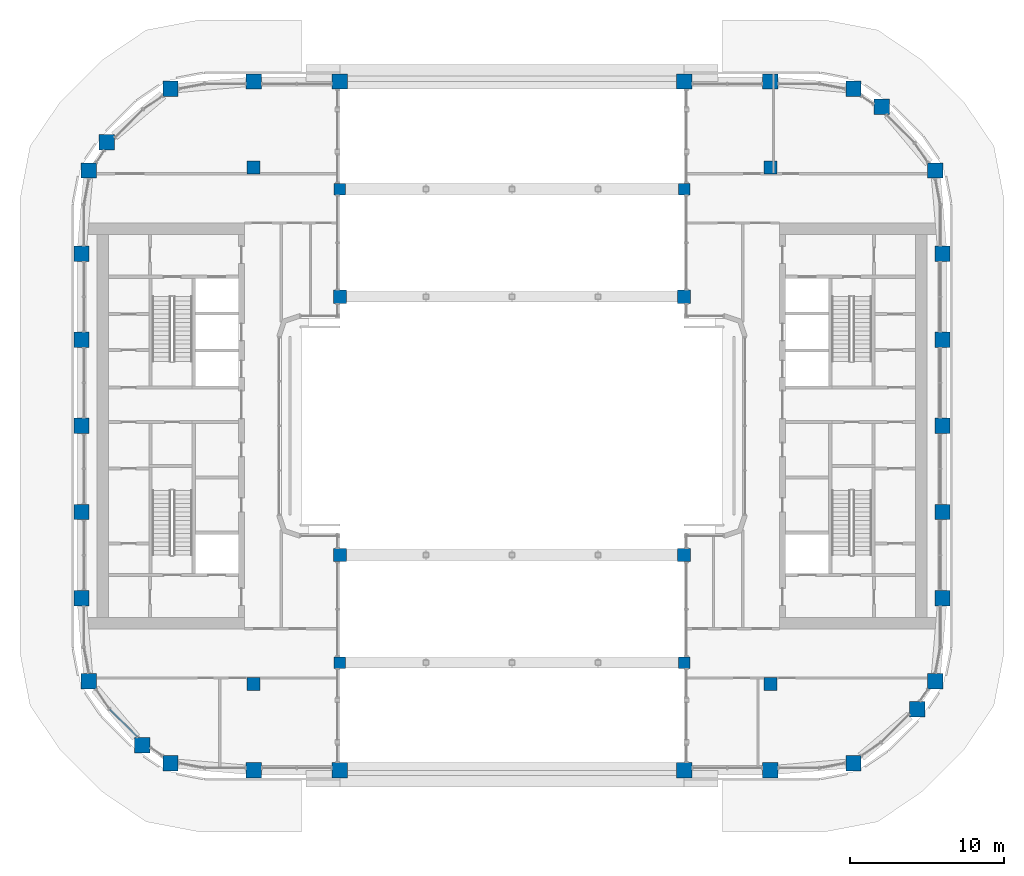
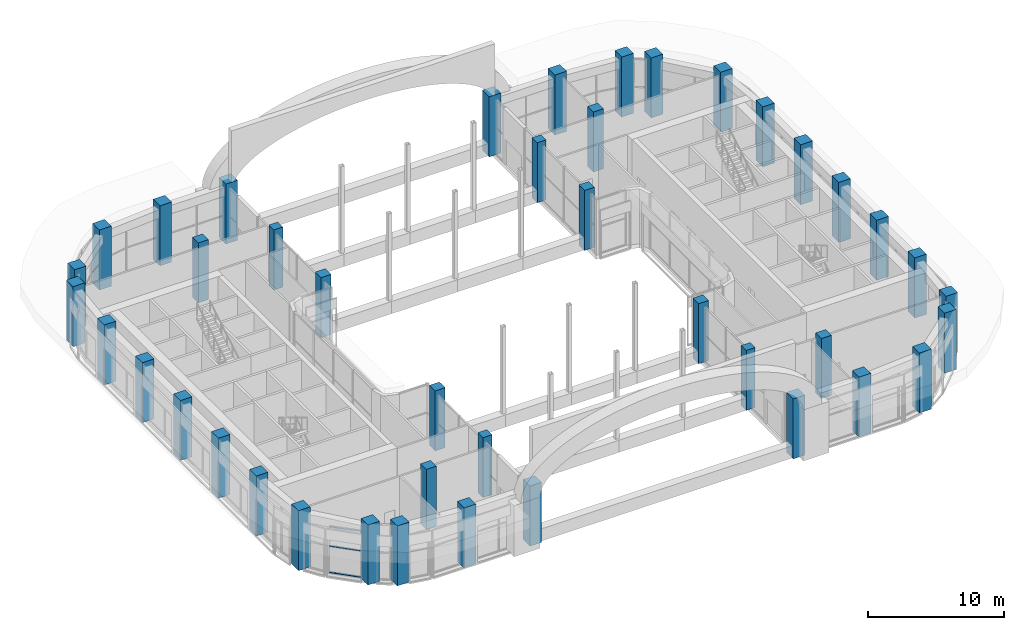
# One storey, part 1 of 28: 42 columns, 3 members, 1 element without a shape of its own.
"""IFC4 building model written with IfcOpenShell, lengths in metres."""

import ifcopenshell
import ifcopenshell.guid

model = None  # the IFC model being written
_history = None  # IfcOwnerHistory: only IFC2X3 demands one
_inside = {}  # id of a spatial element -> (the spatial element, [elements in it])
_under = {}  # id of a project, library or spatial element -> (it, [spatial elements below it])
_declared = {}  # id of a project -> (the project, [libraries it declares])
_typed = {}  # id of a type object -> (the type object, [elements of that type])
_made_of = {}  # id of a material, layer set ... -> (it, [elements and type objects made of it])


def new_model(schema):
    """Start an empty IFC model of exactly this schema.

    Asked for "IFC4X3", IfcOpenShell would pick the latest addendum, in which some entities
    have other attributes; the version numbers below select the first issue.
    IFC2X3 requires an IfcOwnerHistory on every rooted entity: one is made here for all.
    """
    global model, _history
    if schema == "IFC4X3":
        model = ifcopenshell.file(schema_version=(4, 3, 0, 0))
    else:
        model = ifcopenshell.file(schema=schema)
    _inside.clear()
    _under.clear()
    _declared.clear()
    _typed.clear()
    _made_of.clear()
    _history = None
    if model.schema == "IFC2X3":
        org = make("IfcOrganization", Name="unknown")
        user = make(
            "IfcPersonAndOrganization",
            ThePerson=make("IfcPerson", FamilyName="unknown"),
            TheOrganization=org,
        )
        app = make(
            "IfcApplication",
            ApplicationDeveloper=org,
            Version="unknown",
            ApplicationFullName="unknown",
            ApplicationIdentifier="unknown",
        )
        _history = make(
            "IfcOwnerHistory",
            OwningUser=user,
            OwningApplication=app,
            ChangeAction="ADDED",
            CreationDate=0,
        )
    return model


def make(cls, **values):
    """One entity of the class cls with the attributes given. An attribute that is None is left unset."""
    return model.create_entity(
        cls, **{name: value for name, value in values.items() if value is not None}
    )


def rooted(cls, **values):
    """An entity with a GlobalId (a new one), such as an element, a storey or a relation."""
    return make(cls, GlobalId=ifcopenshell.guid.new(), OwnerHistory=_history, **values)


def si_unit(unit_type, name, prefix=None):
    """IfcSIUnit, for example si_unit("LENGTHUNIT", "METRE", prefix="MILLI")."""
    return make("IfcSIUnit", UnitType=unit_type, Prefix=prefix, Name=name)


def assignment(units):
    """IfcUnitAssignment: the units of a project."""
    return None if units is None else make("IfcUnitAssignment", Units=units)


def point(xyz):
    """IfcCartesianPoint."""
    return None if xyz is None else make("IfcCartesianPoint", Coordinates=xyz)


def direction(xyz):
    """IfcDirection."""
    return None if xyz is None else make("IfcDirection", DirectionRatios=xyz)


def frame(location, z_axis=None, x_axis=None):
    """IfcAxis2Placement3D, a coordinate frame: its origin and axes. An axis left out is left unset."""
    return make(
        "IfcAxis2Placement3D",
        Location=point(location),
        Axis=direction(z_axis),
        RefDirection=direction(x_axis),
    )


def frame_2d(location, x_axis=None):
    """IfcAxis2Placement2D, a coordinate frame in the plane: its origin and x axis."""
    return make(
        "IfcAxis2Placement2D", Location=point(location), RefDirection=direction(x_axis)
    )


def origin():
    """The frame at (0, 0, 0) with its axes left unset."""
    return frame((0.0, 0.0, 0.0))


def origin_2d():
    """The frame at (0, 0) in the plane with its x axis left unset."""
    return frame_2d((0.0, 0.0))


def place(relative_to, where):
    """IfcLocalPlacement: puts the frame where relative to a parent placement (None: the world)."""
    return make(
        "IfcLocalPlacement", PlacementRelTo=relative_to, RelativePlacement=where
    )


def context(
    kind, dimensions, precision=None, world=None, true_north=None, identifier=None
):
    """IfcGeometricRepresentationContext, for example the 3D "Model" context."""
    return make(
        "IfcGeometricRepresentationContext",
        ContextIdentifier=identifier,
        ContextType=kind,
        CoordinateSpaceDimension=dimensions,
        Precision=precision,
        WorldCoordinateSystem=world,
        TrueNorth=true_north,
    )


def subcontext(parent, identifier, kind, view, scale=None):
    """IfcGeometricRepresentationSubContext, for example "Body" below "Model"."""
    return make(
        "IfcGeometricRepresentationSubContext",
        ContextIdentifier=identifier,
        ContextType=kind,
        ParentContext=parent,
        TargetScale=scale,
        TargetView=view,
    )


def project(units=None, contexts=None):
    """IfcProject with its units and contexts."""
    return rooted(
        "IfcProject",
        Name="project",
        RepresentationContexts=contexts,
        UnitsInContext=assignment(units),
    )


def spatial(cls, under=None, at=None, **own):
    """A site, building, storey or space (cls), placed at a placement, below another one or the project."""
    s = rooted(cls, ObjectPlacement=at, **own)
    if under is not None:
        _under.setdefault(under.id(), (under, []))[1].append(s)
    return s


def profile(cls, at=None, kind="AREA", **sizes):
    """A parametric profile (cls). Its sizes go by their IFC names, for example OverallWidth=200.0."""
    return make(cls, ProfileType=kind, Position=at, **sizes)


def rectangle(**sizes):
    """IfcRectangleProfileDef."""
    return profile("IfcRectangleProfileDef", **sizes)


def extrude(swept, where, along, depth):
    """IfcExtrudedAreaSolid: the profile swept, set in the frame where, extruded along a direction by depth."""
    return make(
        "IfcExtrudedAreaSolid",
        SweptArea=swept,
        Position=where,
        ExtrudedDirection=direction(along),
        Depth=depth,
    )


def shape(context_of_items, identifier, shape_type, items):
    """IfcShapeRepresentation: the items that make up one representation, for example the "Body"."""
    return make(
        "IfcShapeRepresentation",
        ContextOfItems=context_of_items,
        RepresentationIdentifier=identifier,
        RepresentationType=shape_type,
        Items=items,
    )


def material(Name=None, Category=None):
    """IfcMaterial."""
    return make("IfcMaterial", Name=Name, Category=Category)


def layer(
    of_material, thickness, ventilated=None, Name=None, Category=None, Priority=None
):
    """IfcMaterialLayer: one layer of a wall or slab, of a material (None: an air gap)."""
    return make(
        "IfcMaterialLayer",
        Material=of_material,
        LayerThickness=thickness,
        IsVentilated=ventilated,
        Name=Name,
        Category=Category,
        Priority=Priority,
    )


def layer_set(layers, Name=None):
    """IfcMaterialLayerSet."""
    return make("IfcMaterialLayerSet", MaterialLayers=layers, LayerSetName=Name)


def material_profile(
    of_material, cross_section, Name=None, Category=None, Priority=None
):
    """IfcMaterialProfile: a cross section and its material."""
    return make(
        "IfcMaterialProfile",
        Name=Name,
        Material=of_material,
        Profile=cross_section,
        Priority=Priority,
        Category=Category,
    )


def profile_set(profiles, Name=None, composite=None):
    """IfcMaterialProfileSet."""
    return make(
        "IfcMaterialProfileSet",
        Name=Name,
        MaterialProfiles=profiles,
        CompositeProfile=composite,
    )


def made_of(thing, what):
    """Note that an element or type object is made of a material, layer set ...; save() writes the relation."""
    if what is not None:
        _made_of.setdefault(what.id(), (what, []))[1].append(thing)
    return thing


def type_object(cls, material=None, **own):
    """A type object (cls), such as IfcWallType, which elements share."""
    return made_of(rooted(cls, **own), material)


def element(
    cls,
    number,
    at=None,
    inside=None,
    cuts=None,
    type_object=None,
    material=None,
    context=None,
    identifier="Body",
    shape_type=None,
    held_by="IfcProductDefinitionShape",
    body=None,
    shapes=None,
    **own,
):
    """One element of the class cls, such as IfcWall. Its Tag is "e" and its number.

    at: its placement. inside: the storey or other place that contains it. cuts: it is an
    opening in that element (IfcRelVoidsElement). A single representation is given by context,
    identifier, shape_type and body (its items); several are given by shapes. held_by: the class
    of the entity that holds the representations. save() writes the other relations.
    """
    e = rooted(cls, Tag="e%d" % number, ObjectPlacement=at, **own)
    if body is not None:
        shapes = [shape(context, identifier, shape_type, body)]
    if shapes is not None:
        e.Representation = make(held_by, Representations=shapes)
    if inside is not None:
        _inside.setdefault(inside.id(), (inside, []))[1].append(e)
    if cuts is not None:
        rooted(
            "IfcRelVoidsElement", RelatingBuildingElement=cuts, RelatedOpeningElement=e
        )
    if type_object is not None:
        _typed.setdefault(type_object.id(), (type_object, []))[1].append(e)
    return made_of(e, material)


def aggregate(whole, parts):
    """IfcRelAggregates: a whole, such as a stair, and the parts it consists of."""
    return rooted("IfcRelAggregates", RelatingObject=whole, RelatedObjects=parts)


def save(model, path):
    """Write the relations noted so far, then the file.

    IfcRelAggregates (storeys below a building ...), IfcRelContainedInSpatialStructure (elements
    in a storey), IfcRelDefinesByType, IfcRelAssociatesMaterial and IfcRelDeclares: one each for
    every whole, place, type object, material and project.
    """
    for whole, parts in _under.values():
        aggregate(whole, parts)
    for where, things in _inside.values():
        rooted(
            "IfcRelContainedInSpatialStructure",
            RelatedElements=things,
            RelatingStructure=where,
        )
    for kind, things in _typed.values():
        rooted("IfcRelDefinesByType", RelatedObjects=things, RelatingType=kind)
    for what, things in _made_of.values():
        rooted("IfcRelAssociatesMaterial", RelatedObjects=things, RelatingMaterial=what)
    for by, libraries in _declared.values():
        rooted("IfcRelDeclares", RelatingContext=by, RelatedDefinitions=libraries)
    model.write(path)


model = new_model("IFC4")

# Units and contexts
model_context = context("Model", 3, precision=1e-05, world=origin(), true_north=direction((0.0, 1.0)))
body_context = subcontext(model_context, "Body", "Model", "MODEL_VIEW")
ifc_project = project(units=[si_unit("LENGTHUNIT", "METRE"), si_unit("AREAUNIT", "SQUARE_METRE"), si_unit("VOLUMEUNIT", "CUBIC_METRE"), si_unit("PLANEANGLEUNIT", "RADIAN"), si_unit("MASSUNIT", "GRAM", prefix="KILO")], contexts=[model_context])

# Site, building, storey
site_placement = place(None, origin())
site = spatial("IfcSite", under=ifc_project, at=site_placement, CompositionType="ELEMENT")
building_placement = place(site_placement, origin())
building = spatial("IfcBuilding", under=site, at=building_placement, Name="Kiln Ring Residences", CompositionType="ELEMENT")
storey_placement = place(building_placement, frame((0.0, 0.0, 178.10009765625)))
storey = spatial("IfcBuildingStorey", under=building, at=storey_placement, Name="L46", CompositionType="ELEMENT", Elevation=178.10009765625)

# Columns
ifc_material_1 = material(Name="Concrete C70/85", Category="concrete")
ifc_material_profile_1 = material_profile(ifc_material_1, rectangle(XDim=0.75, YDim=0.75, at=origin_2d()), Name="RC750x750")
ifc_profile_set_1 = profile_set([ifc_material_profile_1], Name="Concrete C70/85")
column_type_1 = type_object("IfcColumnType", Name="Corridor column RC750x750 C70/85", PredefinedType="COLUMN", material=ifc_profile_set_1)
for number, where, z_axis, x_axis, name in (
    (1, (-11.199951171875, 15.39990234375, 0.0), (0.0, 0.0, 1.0), (1.0, 0.0, 0.0), "Corridor column L46 1"),
    (2, (11.199951171875, 15.39990234375, 0.0), (0.0, 0.0, 1.0), (1.0, 0.0, 0.0), "Corridor column L46 2"),
    (3, (-11.199951171875, -15.39990234375, 0.0), (0.0, 0.0, 1.0), (1.0, 0.0, 0.0), "Corridor column L46 3"),
    (4, (11.199951171875, -15.39990234375, 0.0), (0.0, 0.0, 1.0), (1.0, 0.0, 0.0), "Corridor column L46 4"),
):
    element("IfcColumn", number, at=place(storey_placement, frame(where, z_axis=z_axis, x_axis=x_axis)), inside=storey, type_object=column_type_1, Name=name, PredefinedType="COLUMN", context=body_context, shape_type="SweptSolid", body=[
        extrude(rectangle(XDim=0.75, YDim=0.75, at=origin_2d()), origin(), (0.0, 0.0, 1.0), 5.39990234375),
    ])
ifc_material_2 = material(Name="Concrete C70/85", Category="concrete")
ifc_material_profile_2 = material_profile(ifc_material_2, rectangle(XDim=1.0, YDim=1.0, at=origin_2d()), Name="RC1000x1000")
ifc_profile_set_2 = profile_set([ifc_material_profile_2], Name="Concrete C70/85")
column_type_2 = type_object("IfcColumnType", Name="Perimeter column RC1000x1000 C70/85", PredefinedType="COLUMN", material=ifc_profile_set_2)
for number, where, z_axis, x_axis, name in (
    (5, (-22.208740234375, -21.93798828125, 0.0), (0.0, 0.0, 1.0), (1.0, 0.0, 0.0), "Perimeter column L46 1"),
    (6, (-16.800048828125, -22.39990234375, 0.0), (0.0, 0.0, 1.0), (1.0, 0.0, 0.0), "Perimeter column L46 2"),
    (7, (-11.199951171875, -22.39990234375, 0.0), (0.0, 0.0, 1.0), (1.0, 0.0, 0.0), "Perimeter column L46 3"),
    (8, (11.199951171875, -22.39990234375, 0.0), (0.0, 0.0, 1.0), (1.0, 0.0, 0.0), "Perimeter column L46 4"),
    (9, (16.800048828125, -22.39990234375, 0.0), (0.0, 0.0, 1.0), (1.0, 0.0, 0.0), "Perimeter column L46 5"),
    (10, (22.208740234375, -21.93798828125, 0.0), (0.0, 0.0, 1.0), (1.0, 0.0, 0.0), "Perimeter column L46 6"),
    (11, (26.35986328125, -18.440185546875, 0.0), (0.0, 0.0, 1.0), (1.0, 0.0, 0.0), "Perimeter column L46 7"),
    (12, (27.5380859375, -16.608642578125, 0.0), (0.0, 0.0, 1.0), (1.0, 0.0, 0.0), "Perimeter column L46 8"),
    (13, (28.0, -11.199951171875, 0.0), (0.0, 0.0, 1.0), (1.0, 0.0, 0.0), "Perimeter column L46 9"),
    (14, (28.0, -5.60009765625, 0.0), (0.0, 0.0, 1.0), (1.0, 0.0, 0.0), "Perimeter column L46 10"),
    (15, (28.0, 0.0, 0.0), (0.0, 0.0, 1.0), (1.0, 0.0, 0.0), "Perimeter column L46 11"),
    (16, (28.0, 5.60009765625, 0.0), (0.0, 0.0, 1.0), (1.0, 0.0, 0.0), "Perimeter column L46 12"),
    (17, (28.0, 11.199951171875, 0.0), (0.0, 0.0, 1.0), (1.0, 0.0, 0.0), "Perimeter column L46 13"),
    (18, (27.5380859375, 16.608642578125, 0.0), (0.0, 0.0, 1.0), (1.0, 0.0, 0.0), "Perimeter column L46 14"),
    (19, (24.040283203125, 20.759765625, 0.0), (0.0, 0.0, 1.0), (1.0, 0.0, 0.0), "Perimeter column L46 15"),
    (20, (22.208740234375, 21.93798828125, 0.0), (0.0, 0.0, 1.0), (1.0, 0.0, 0.0), "Perimeter column L46 16"),
    (21, (16.800048828125, 22.39990234375, 0.0), (0.0, 0.0, 1.0), (1.0, 0.0, 0.0), "Perimeter column L46 17"),
    (22, (11.199951171875, 22.39990234375, 0.0), (0.0, 0.0, 1.0), (1.0, 0.0, 0.0), "Perimeter column L46 18"),
    (23, (-11.199951171875, 22.39990234375, 0.0), (0.0, 0.0, 1.0), (1.0, 0.0, 0.0), "Perimeter column L46 19"),
    (24, (-16.800048828125, 22.39990234375, 0.0), (0.0, 0.0, 1.0), (1.0, 0.0, 0.0), "Perimeter column L46 20"),
    (25, (-22.208740234375, 21.93798828125, 0.0), (0.0, 0.0, 1.0), (1.0, 0.0, 0.0), "Perimeter column L46 21"),
    (26, (-26.35986328125, 18.440185546875, 0.0), (0.0, 0.0, 1.0), (1.0, 0.0, 0.0), "Perimeter column L46 22"),
    (27, (-27.5380859375, 16.608642578125, 0.0), (0.0, 0.0, 1.0), (1.0, 0.0, 0.0), "Perimeter column L46 23"),
    (28, (-28.0, 11.199951171875, 0.0), (0.0, 0.0, 1.0), (1.0, 0.0, 0.0), "Perimeter column L46 24"),
    (29, (-28.0, 5.60009765625, 0.0), (0.0, 0.0, 1.0), (1.0, 0.0, 0.0), "Perimeter column L46 25"),
    (30, (-28.0, 0.0, 0.0), (0.0, 0.0, 1.0), (1.0, 0.0, 0.0), "Perimeter column L46 26"),
    (31, (-28.0, -5.60009765625, 0.0), (0.0, 0.0, 1.0), (1.0, 0.0, 0.0), "Perimeter column L46 27"),
    (32, (-28.0, -11.199951171875, 0.0), (0.0, 0.0, 1.0), (1.0, 0.0, 0.0), "Perimeter column L46 28"),
    (33, (-27.5380859375, -16.608642578125, 0.0), (0.0, 0.0, 1.0), (1.0, 0.0, 0.0), "Perimeter column L46 29"),
    (34, (-24.040283203125, -20.759765625, 0.0), (0.0, 0.0, 1.0), (1.0, 0.0, 0.0), "Perimeter column L46 30"),
):
    element("IfcColumn", number, at=place(storey_placement, frame(where, z_axis=z_axis, x_axis=x_axis)), inside=storey, type_object=column_type_2, Name=name, PredefinedType="COLUMN", context=body_context, shape_type="SweptSolid", body=[
        extrude(rectangle(XDim=1.0, YDim=1.0, at=origin_2d()), origin(), (0.0, 0.0, 1.0), 5.39990234375),
    ])
ifc_material_3 = material(Name="Concrete C70/85", Category="concrete")
ifc_material_profile_3 = material_profile(ifc_material_3, rectangle(XDim=0.85009765625, YDim=0.85009765625, at=origin_2d()), Name="RC850x850")
ifc_profile_set_3 = profile_set([ifc_material_profile_3], Name="Concrete C70/85")
column_type_3 = type_object("IfcColumnType", Name="Ring column RC850x850 C70/85", PredefinedType="COLUMN", material=ifc_profile_set_3)
for number, where, z_axis, x_axis, name in (
    (35, (-16.800048828125, -16.800048828125, 0.0), (0.0, 0.0, 1.0), (1.0, 0.0, 0.0), "Ring column L46 1"),
    (36, (-16.800048828125, 16.800048828125, 0.0), (0.0, 0.0, 1.0), (1.0, 0.0, 0.0), "Ring column L46 2"),
    (37, (16.800048828125, -16.800048828125, 0.0), (0.0, 0.0, 1.0), (1.0, 0.0, 0.0), "Ring column L46 3"),
    (38, (16.800048828125, 16.800048828125, 0.0), (0.0, 0.0, 1.0), (1.0, 0.0, 0.0), "Ring column L46 4"),
    (39, (-11.199951171875, -8.39990234375, 0.0), (0.0, 0.0, 1.0), (1.0, 0.0, 0.0), "Ring column L46 5"),
    (40, (-11.199951171875, 8.39990234375, 0.0), (0.0, 0.0, 1.0), (1.0, 0.0, 0.0), "Ring column L46 6"),
    (41, (11.199951171875, -8.39990234375, 0.0), (0.0, 0.0, 1.0), (1.0, 0.0, 0.0), "Ring column L46 7"),
    (42, (11.199951171875, 8.39990234375, 0.0), (0.0, 0.0, 1.0), (1.0, 0.0, 0.0), "Ring column L46 8"),
):
    element("IfcColumn", number, at=place(storey_placement, frame(where, z_axis=z_axis, x_axis=x_axis)), inside=storey, type_object=column_type_3, Name=name, PredefinedType="COLUMN", context=body_context, shape_type="SweptSolid", body=[
        extrude(rectangle(XDim=0.85009765625, YDim=0.85009765625, at=origin_2d()), origin(), (0.0, 0.0, 1.0), 5.39990234375),
    ])

# Curtain wall, members
ifc_material_4 = material(Name="Aluminium and glass", Category="aluminium")
ifc_layer = layer(ifc_material_4, 0.199951171875)
ifc_layer_set = layer_set([ifc_layer], Name="CW1 CURTAIN WALL")
curtain_wall_type = type_object("IfcCurtainWallType", Name="CW1 CURTAIN WALL", PredefinedType="NOTDEFINED", material=ifc_layer_set)
curtain_wall_placement = place(storey_placement, origin())
curtain_wall = element("IfcCurtainWall", 43, at=curtain_wall_placement, inside=storey, type_object=curtain_wall_type, Name="Curtain wall CW1 L46", PredefinedType="NOTDEFINED")
ifc_material_5 = material(Name="Aluminium 6063-T6", Category="aluminium")
ifc_material_profile_4 = material_profile(ifc_material_5, rectangle(XDim=0.1201171875, YDim=0.06005859375, at=origin_2d()), Name="AL 120x60")
ifc_profile_set_4 = profile_set([ifc_material_profile_4], Name="Aluminium 6063-T6")
member_type = type_object("IfcMemberType", Name="CW1 TRANSOM 120 x 60", PredefinedType="USERDEFINED", material=ifc_profile_set_4)
member_1_placement = place(storey_placement, frame((-26.154541015625, -18.433349609375, 0.02978515625), z_axis=(0.707106781187, -0.707106781187, 0.0), x_axis=(0.707106781187, 0.707106781187, 0.0)))
member_1 = element("IfcMember", 44, at=member_1_placement, type_object=member_type, Name="CW1 transom 1.1", ObjectType="TRANSOM", PredefinedType="USERDEFINED", context=body_context, shape_type="SweptSolid", body=[
    extrude(rectangle(XDim=0.1201171875, YDim=0.06005859375, at=origin_2d()), origin(), (0.0, 0.0, 1.0), 2.52294921875),
])
member_2_placement = place(storey_placement, frame((-26.154541015625, -18.433349609375, 2.39990234375), z_axis=(0.707106781187, -0.707106781187, 0.0), x_axis=(0.707106781187, 0.707106781187, 0.0)))
member_2 = element("IfcMember", 45, at=member_2_placement, type_object=member_type, Name="CW1 transom 1.2", ObjectType="TRANSOM", PredefinedType="USERDEFINED", context=body_context, shape_type="SweptSolid", body=[
    extrude(rectangle(XDim=0.1201171875, YDim=0.06005859375, at=origin_2d()), origin(), (0.0, 0.0, 1.0), 2.52294921875),
])
member_3_placement = place(storey_placement, frame((-26.154541015625, -18.433349609375, 4.169921875), z_axis=(0.707106781187, -0.707106781187, 0.0), x_axis=(0.707106781187, 0.707106781187, 0.0)))
member_3 = element("IfcMember", 46, at=member_3_placement, type_object=member_type, Name="CW1 transom 1.3", ObjectType="TRANSOM", PredefinedType="USERDEFINED", context=body_context, shape_type="SweptSolid", body=[
    extrude(rectangle(XDim=0.1201171875, YDim=0.06005859375, at=origin_2d()), origin(), (0.0, 0.0, 1.0), 2.52294921875),
])
aggregate(curtain_wall, [member_1, member_2, member_3])

save(model, "model.ifc")
